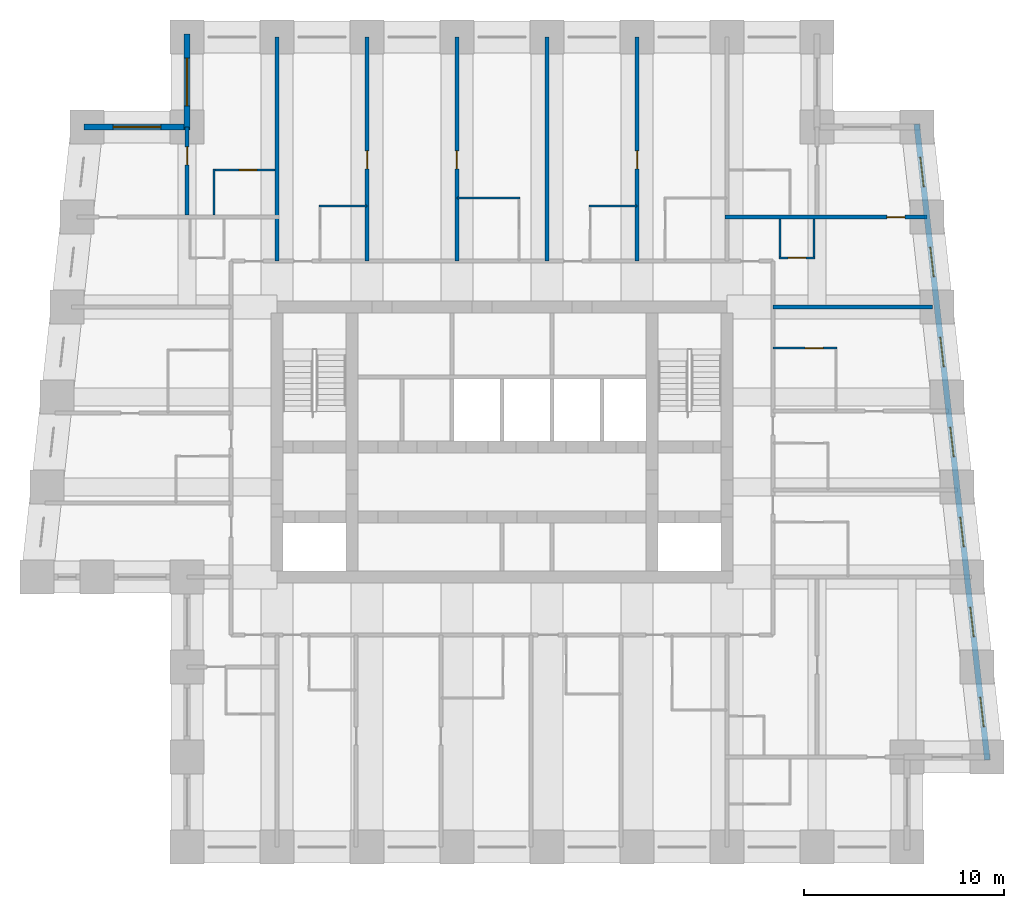
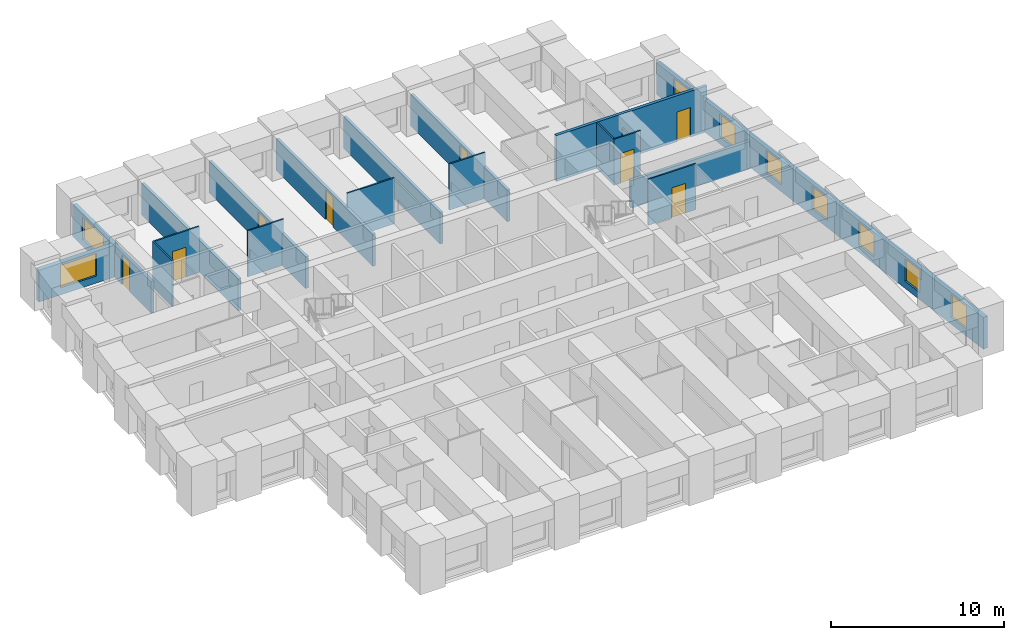
# One storey, part 6 of 8: 20 walls, 9 windows, 8 doors, 17 openings.
"""IFC4 building model written with IfcOpenShell, lengths in metres."""

from ifc_helpers import new_model, si_unit, direction, frame, frame_2d, origin, place, context, subcontext, project, spatial, rectangle, extrude, material, layer, layer_set, type_object, element, fill, save


model = new_model("IFC4")

# Units and contexts
model_context = context("Model", 3, precision=1e-05, world=origin(), true_north=direction((0.0, 1.0)))
body_context = subcontext(model_context, "Body", "Model", "MODEL_VIEW")
ifc_project = project(units=[si_unit("LENGTHUNIT", "METRE"), si_unit("AREAUNIT", "SQUARE_METRE"), si_unit("VOLUMEUNIT", "CUBIC_METRE"), si_unit("PLANEANGLEUNIT", "RADIAN"), si_unit("MASSUNIT", "GRAM", prefix="KILO")], contexts=[model_context])

# Site, building, storey
site_placement = place(None, origin())
site = spatial("IfcSite", under=ifc_project, at=site_placement, CompositionType="ELEMENT")
building_placement = place(site_placement, origin())
building = spatial("IfcBuilding", under=site, at=building_placement, Name="Kilele Tower Hotel", CompositionType="ELEMENT")
storey_placement = place(building_placement, frame((0.0, 0.0, 204.39990234375)))
storey = spatial("IfcBuildingStorey", under=building, at=storey_placement, Name="L53", CompositionType="ELEMENT", Elevation=204.39990234375)

# Wall, opening, door
ifc_material_1 = material(Name="Moisture-resistant board")
ifc_layer_1 = layer(ifc_material_1, 0.10009765625)
ifc_layer_set_1 = layer_set([ifc_layer_1], Name="Moisture-resistant board")
wall_type_1 = type_object("IfcWallType", Name="Bathroom partition 100", PredefinedType="PLUMBINGWALL", material=ifc_layer_set_1)
wall_1_placement = place(storey_placement, frame((38.300048828125, 24.949951171875, 0.0), z_axis=(0.0, 0.0, 1.0), x_axis=(1.0, 0.0, 0.0)))
wall_1 = element("IfcWall", 1, at=wall_1_placement, inside=storey, type_object=wall_type_1, Name="Bathroom partition 100 L53", PredefinedType="PLUMBINGWALL", context=body_context, shape_type="SweptSolid", body=[
    extrude(rectangle(XDim=3.199951171875, YDim=0.10009765625, at=frame_2d((1.60009765625, 0.0))), origin(), (0.0, 0.0, 1.0), 3.25),
])
opening_1_placement = place(wall_1_placement, frame((1.60009765625, 0.0, 0.0)))
opening_1 = element("IfcOpeningElement", 2, at=opening_1_placement, cuts=wall_1, Name="Opening D2A", PredefinedType="OPENING", context=body_context, shape_type="SweptSolid", body=[
    extrude(rectangle(XDim=0.89990234375, YDim=2.10009765625, at=frame_2d((0.449951171875, 1.050048828125))), frame((0.0, 0.06005859375, 0.0), z_axis=(0.0, -1.0, 0.0), x_axis=(1.0, 0.0, 0.0)), (0.0, 0.0, 1.0), 0.1201171875),
])
ifc_material_2 = material(Name="Timber door leaf in hardwood frame", Category="wood")
door_type_1 = type_object("IfcDoorType", Name="Bathroom door 900", OperationType="SINGLE_SWING_LEFT", PredefinedType="DOOR", material=ifc_material_2)
door_1_placement = place(opening_1_placement, origin())
door_1 = element("IfcDoor", 3, at=door_1_placement, inside=storey, type_object=door_type_1, Name="Bathroom door 5308B", OperationType="SINGLE_SWING_LEFT", OverallHeight=2.10009765625, OverallWidth=0.89990234375, PredefinedType="DOOR", context=body_context, shape_type="SweptSolid", body=[
    extrude(rectangle(XDim=0.89990234375, YDim=2.10009765625, at=frame_2d((0.449951171875, 1.050048828125))), frame((0.0, 0.02490234375, 0.0), z_axis=(0.0, -1.0, 0.0), x_axis=(1.0, 0.0, 0.0)), (0.0, 0.0, 1.0), 0.050048828125),
])
fill(opening_1, door_1)

# Walls
wall_2_placement = place(storey_placement, frame((15.60009765625, 32.050048828125, 0.0), z_axis=(0.0, 0.0, 1.0), x_axis=(1.0, 0.0, 0.0)))
element("IfcWall", 4, at=wall_2_placement, inside=storey, type_object=wall_type_1, Name="Bathroom partition 100 L53", PredefinedType="PLUMBINGWALL", context=body_context, shape_type="SweptSolid", body=[
    extrude(rectangle(XDim=2.39990234375, YDim=0.10009765625, at=frame_2d((1.199951171875, 0.0))), origin(), (0.0, 0.0, 1.0), 3.25),
])
wall_3_placement = place(storey_placement, frame((22.5, 32.449951171875, 0.0), z_axis=(0.0, 0.0, 1.0), x_axis=(1.0, 0.0, 0.0)))
element("IfcWall", 5, at=wall_3_placement, inside=storey, type_object=wall_type_1, Name="Bathroom partition 100 L53", PredefinedType="PLUMBINGWALL", context=body_context, shape_type="SweptSolid", body=[
    extrude(rectangle(XDim=3.14990234375, YDim=0.10009765625, at=frame_2d((1.574951171875, 0.0))), origin(), (0.0, 0.0, 1.0), 3.25),
])
wall_4_placement = place(storey_placement, frame((29.10009765625, 32.050048828125, 0.0), z_axis=(0.0, 0.0, 1.0), x_axis=(1.0, 0.0, 0.0)))
element("IfcWall", 6, at=wall_4_placement, inside=storey, type_object=wall_type_1, Name="Bathroom partition 100 L53", PredefinedType="PLUMBINGWALL", context=body_context, shape_type="SweptSolid", body=[
    extrude(rectangle(XDim=2.39990234375, YDim=0.10009765625, at=frame_2d((1.199951171875, 0.0))), origin(), (0.0, 0.0, 1.0), 3.25),
])
wall_5_placement = place(storey_placement, frame((40.35009765625, 31.39990234375, 0.0), z_axis=(0.0, 0.0, 1.0), x_axis=(0.0, -1.0, 0.0)))
element("IfcWall", 7, at=wall_5_placement, inside=storey, type_object=wall_type_1, Name="Bathroom partition 100 L53", PredefinedType="PLUMBINGWALL", context=body_context, shape_type="SweptSolid", body=[
    extrude(rectangle(XDim=2.0, YDim=0.10009765625, at=frame_2d((1.0, 0.0))), origin(), (0.0, 0.0, 1.0), 2.25),
])
wall_6_placement = place(storey_placement, frame((38.64990234375, 31.39990234375, 0.0), z_axis=(0.0, 0.0, 1.0), x_axis=(0.0, -1.0, 0.0)))
element("IfcWall", 8, at=wall_6_placement, inside=storey, type_object=wall_type_1, Name="Bathroom partition 100 L53", PredefinedType="PLUMBINGWALL", context=body_context, shape_type="SweptSolid", body=[
    extrude(rectangle(XDim=2.0, YDim=0.10009765625, at=frame_2d((1.0, 0.0))), origin(), (0.0, 0.0, 1.0), 3.25),
])

# Wall, opening, door
wall_7_placement = place(storey_placement, frame((38.60009765625, 29.449951171875, 0.0), z_axis=(0.0, 0.0, 1.0), x_axis=(1.0, 0.0, 0.0)))
wall_7 = element("IfcWall", 9, at=wall_7_placement, inside=storey, type_object=wall_type_1, Name="Bathroom partition 100 L53", PredefinedType="PLUMBINGWALL", context=body_context, shape_type="SweptSolid", body=[
    extrude(rectangle(XDim=1.7998046875, YDim=0.10009765625, at=frame_2d((0.89990234375, 0.0))), origin(), (0.0, 0.0, 1.0), 3.25),
])
opening_2_placement = place(wall_7_placement, frame((1.349853515625, 0.0, 0.0), z_axis=(0.0, 0.0, 1.0), x_axis=(-1.0, 0.0, 0.0)))
opening_2 = element("IfcOpeningElement", 10, at=opening_2_placement, cuts=wall_7, Name="Opening D2A", PredefinedType="OPENING", context=body_context, shape_type="SweptSolid", body=[
    extrude(rectangle(XDim=0.89990234375, YDim=2.10009765625, at=frame_2d((0.449951171875, 1.050048828125))), frame((0.0, 0.06005859375, 0.0), z_axis=(0.0, -1.0, 0.0), x_axis=(1.0, 0.0, 0.0)), (0.0, 0.0, 1.0), 0.1201171875),
])
door_2_placement = place(opening_2_placement, origin())
door_2 = element("IfcDoor", 11, at=door_2_placement, inside=storey, type_object=door_type_1, Name="Bathroom door 5322P", OperationType="SINGLE_SWING_RIGHT", OverallHeight=2.10009765625, OverallWidth=0.89990234375, PredefinedType="DOOR", context=body_context, shape_type="SweptSolid", body=[
    extrude(rectangle(XDim=0.89990234375, YDim=2.10009765625, at=frame_2d((0.449951171875, 1.050048828125))), frame((0.0, 0.02490234375, 0.0), z_axis=(0.0, -1.0, 0.0), x_axis=(1.0, 0.0, 0.0)), (0.0, 0.0, 1.0), 0.050048828125),
])
fill(opening_2, door_2)

# Wall
wall_8_placement = place(storey_placement, frame((10.35009765625, 31.60009765625, 0.0), z_axis=(0.0, 0.0, 1.0), x_axis=(0.0, 1.0, 0.0)))
element("IfcWall", 12, at=wall_8_placement, inside=storey, type_object=wall_type_1, Name="Bathroom partition 100 L53", PredefinedType="PLUMBINGWALL", context=body_context, shape_type="SweptSolid", body=[
    extrude(rectangle(XDim=2.2998046875, YDim=0.10009765625, at=frame_2d((1.14990234375, 0.0))), origin(), (0.0, 0.0, 1.0), 3.25),
])

# Wall, opening, door
wall_9_placement = place(storey_placement, frame((13.39990234375, 33.85009765625, 0.0), z_axis=(0.0, 0.0, 1.0), x_axis=(-1.0, 0.0, 0.0)))
wall_9 = element("IfcWall", 13, at=wall_9_placement, inside=storey, type_object=wall_type_1, Name="Bathroom partition 100 L53", PredefinedType="PLUMBINGWALL", context=body_context, shape_type="SweptSolid", body=[
    extrude(rectangle(XDim=3.099853515625, YDim=0.10009765625, at=frame_2d((1.5498046875, 0.0))), origin(), (0.0, 0.0, 1.0), 3.25),
])
opening_3_placement = place(wall_9_placement, frame((1.7998046875, 0.0, 0.0), z_axis=(0.0, 0.0, 1.0), x_axis=(-1.0, 0.0, 0.0)))
opening_3 = element("IfcOpeningElement", 14, at=opening_3_placement, cuts=wall_9, Name="Opening D2A", PredefinedType="OPENING", context=body_context, shape_type="SweptSolid", body=[
    extrude(rectangle(XDim=0.89990234375, YDim=2.10009765625, at=frame_2d((0.449951171875, 1.050048828125))), frame((0.0, 0.06005859375, 0.0), z_axis=(0.0, -1.0, 0.0), x_axis=(1.0, 0.0, 0.0)), (0.0, 0.0, 1.0), 0.1201171875),
])
door_3_placement = place(opening_3_placement, origin())
door_3 = element("IfcDoor", 15, at=door_3_placement, inside=storey, type_object=door_type_1, Name="Bathroom door 5326B", OperationType="SINGLE_SWING_RIGHT", OverallHeight=2.10009765625, OverallWidth=0.89990234375, PredefinedType="DOOR", context=body_context, shape_type="SweptSolid", body=[
    extrude(rectangle(XDim=0.89990234375, YDim=2.10009765625, at=frame_2d((0.449951171875, 1.050048828125))), frame((0.0, 0.02490234375, 0.0), z_axis=(0.0, -1.0, 0.0), x_axis=(1.0, 0.0, 0.0)), (0.0, 0.0, 1.0), 0.050048828125),
])
fill(opening_3, door_3)

ifc_material_3 = material(Name="Blockwork, plastered both sides", Category="masonry")
ifc_layer_2 = layer(ifc_material_3, 0.199951171875)
ifc_layer_set_2 = layer_set([ifc_layer_2], Name="Blockwork, plastered both sides")
wall_type_2 = type_object("IfcWallType", Name="Partition wall 200", PredefinedType="PARTITIONING", material=ifc_layer_set_2)
wall_10_placement = place(storey_placement, frame((9.0, 31.60009765625, 0.0), z_axis=(0.0, 0.0, 1.0), x_axis=(0.0, 1.0, 0.0)))
wall_10 = element("IfcWall", 16, at=wall_10_placement, inside=storey, type_object=wall_type_2, Name="Partition wall 200 L53", PredefinedType="PARTITIONING", context=body_context, shape_type="SweptSolid", body=[
    extrude(rectangle(XDim=4.39990234375, YDim=0.199951171875, at=frame_2d((2.199951171875, 0.0))), origin(), (0.0, 0.0, 1.0), 2.25),
])
opening_4_placement = place(wall_10_placement, frame((2.5, 0.0, 0.0)))
opening_4 = element("IfcOpeningElement", 17, at=opening_4_placement, cuts=wall_10, Name="Opening D3", PredefinedType="OPENING", context=body_context, shape_type="SweptSolid", body=[
    extrude(rectangle(XDim=0.89990234375, YDim=2.10009765625, at=frame_2d((0.449951171875, 1.050048828125))), frame((0.0, 0.10986328125, 0.0), z_axis=(0.0, -1.0, 0.0), x_axis=(1.0, 0.0, 0.0)), (0.0, 0.0, 1.0), 0.219970703125),
])
ifc_material_4 = material(Name="Timber door leaf in hardwood frame", Category="wood")
door_type_2 = type_object("IfcDoorType", Name="Suite internal door 900", OperationType="SINGLE_SWING_LEFT", PredefinedType="DOOR", material=ifc_material_4)
door_4_placement = place(opening_4_placement, origin())
door_4 = element("IfcDoor", 18, at=door_4_placement, inside=storey, type_object=door_type_2, Name="Suite door 5327", OperationType="SINGLE_SWING_RIGHT", OverallHeight=2.10009765625, OverallWidth=0.89990234375, PredefinedType="DOOR", context=body_context, shape_type="SweptSolid", body=[
    extrude(rectangle(XDim=0.89990234375, YDim=2.10009765625, at=frame_2d((0.449951171875, 1.050048828125))), frame((0.0, 0.02490234375, 0.0), z_axis=(0.0, -1.0, 0.0), x_axis=(1.0, 0.0, 0.0)), (0.0, 0.0, 1.0), 0.050048828125),
])
fill(opening_4, door_4)

ifc_material_5 = material(Name="Blockwork, plastered both sides", Category="masonry")
ifc_layer_3 = layer(ifc_material_5, 0.199951171875)
ifc_layer_set_3 = layer_set([ifc_layer_3], Name="Blockwork, plastered both sides")
wall_type_3 = type_object("IfcWallType", Name="Party wall 200", PredefinedType="PARTITIONING", material=ifc_layer_set_3)
wall_11_placement = place(storey_placement, frame((18.0, 29.300048828125, 0.0), z_axis=(0.0, 0.0, 1.0), x_axis=(0.0, 1.0, 0.0)))
wall_11 = element("IfcWall", 19, at=wall_11_placement, inside=storey, type_object=wall_type_3, Name="Party wall 200 L53", PredefinedType="PARTITIONING", context=body_context, shape_type="SweptSolid", body=[
    extrude(rectangle(XDim=11.199951171875, YDim=0.199951171875, at=frame_2d((5.60009765625, 0.0))), origin(), (0.0, 0.0, 1.0), 2.25),
])
opening_5_placement = place(wall_11_placement, frame((4.60009765625, 0.0, 0.0)))
opening_5 = element("IfcOpeningElement", 20, at=opening_5_placement, cuts=wall_11, Name="Opening D3", PredefinedType="OPENING", context=body_context, shape_type="SweptSolid", body=[
    extrude(rectangle(XDim=0.89990234375, YDim=2.10009765625, at=frame_2d((0.449951171875, 1.050048828125))), frame((0.0, 0.10986328125, 0.0), z_axis=(0.0, -1.0, 0.0), x_axis=(1.0, 0.0, 0.0)), (0.0, 0.0, 1.0), 0.219970703125),
])
door_5_placement = place(opening_5_placement, origin())
door_5 = element("IfcDoor", 21, at=door_5_placement, inside=storey, type_object=door_type_2, Name="Suite door 5310", OperationType="SINGLE_SWING_LEFT", OverallHeight=2.10009765625, OverallWidth=0.89990234375, PredefinedType="DOOR", context=body_context, shape_type="SweptSolid", body=[
    extrude(rectangle(XDim=0.89990234375, YDim=2.10009765625, at=frame_2d((0.449951171875, 1.050048828125))), frame((0.0, 0.02490234375, 0.0), z_axis=(0.0, -1.0, 0.0), x_axis=(1.0, 0.0, 0.0)), (0.0, 0.0, 1.0), 0.050048828125),
])
fill(opening_5, door_5)

wall_12_placement = place(storey_placement, frame((22.5, 29.300048828125, 0.0), z_axis=(0.0, 0.0, 1.0), x_axis=(0.0, 1.0, 0.0)))
wall_12 = element("IfcWall", 22, at=wall_12_placement, inside=storey, type_object=wall_type_3, Name="Party wall 200 L53", PredefinedType="PARTITIONING", context=body_context, shape_type="SweptSolid", body=[
    extrude(rectangle(XDim=11.199951171875, YDim=0.199951171875, at=frame_2d((5.60009765625, 0.0))), origin(), (0.0, 0.0, 1.0), 2.25),
])
opening_6_placement = place(wall_12_placement, frame((5.5, 0.0, 0.0), z_axis=(0.0, 0.0, 1.0), x_axis=(-1.0, 0.0, 0.0)))
opening_6 = element("IfcOpeningElement", 23, at=opening_6_placement, cuts=wall_12, Name="Opening D3", PredefinedType="OPENING", context=body_context, shape_type="SweptSolid", body=[
    extrude(rectangle(XDim=0.89990234375, YDim=2.10009765625, at=frame_2d((0.449951171875, 1.050048828125))), frame((0.0, 0.10986328125, 0.0), z_axis=(0.0, -1.0, 0.0), x_axis=(1.0, 0.0, 0.0)), (0.0, 0.0, 1.0), 0.219970703125),
])
door_6_placement = place(opening_6_placement, origin())
door_6 = element("IfcDoor", 24, at=door_6_placement, inside=storey, type_object=door_type_2, Name="Suite door 5311", OperationType="SINGLE_SWING_RIGHT", OverallHeight=2.10009765625, OverallWidth=0.89990234375, PredefinedType="DOOR", context=body_context, shape_type="SweptSolid", body=[
    extrude(rectangle(XDim=0.89990234375, YDim=2.10009765625, at=frame_2d((0.449951171875, 1.050048828125))), frame((0.0, 0.02490234375, 0.0), z_axis=(0.0, -1.0, 0.0), x_axis=(1.0, 0.0, 0.0)), (0.0, 0.0, 1.0), 0.050048828125),
])
fill(opening_6, door_6)

# Wall
wall_13_placement = place(storey_placement, frame((27.0, 29.300048828125, 0.0), z_axis=(0.0, 0.0, 1.0), x_axis=(0.0, 1.0, 0.0)))
element("IfcWall", 25, at=wall_13_placement, inside=storey, type_object=wall_type_3, Name="Party wall 200 L53", PredefinedType="PARTITIONING", context=body_context, shape_type="SweptSolid", body=[
    extrude(rectangle(XDim=11.199951171875, YDim=0.199951171875, at=frame_2d((5.60009765625, 0.0))), origin(), (0.0, 0.0, 1.0), 2.25),
])

# Wall, opening, door
wall_14_placement = place(storey_placement, frame((31.5, 29.300048828125, 0.0), z_axis=(0.0, 0.0, 1.0), x_axis=(0.0, 1.0, 0.0)))
wall_14 = element("IfcWall", 26, at=wall_14_placement, inside=storey, type_object=wall_type_3, Name="Party wall 200 L53", PredefinedType="PARTITIONING", context=body_context, shape_type="SweptSolid", body=[
    extrude(rectangle(XDim=11.199951171875, YDim=0.199951171875, at=frame_2d((5.60009765625, 0.0))), origin(), (0.0, 0.0, 1.0), 2.25),
])
opening_7_placement = place(wall_14_placement, frame((4.60009765625, 0.0, 0.0)))
opening_7 = element("IfcOpeningElement", 27, at=opening_7_placement, cuts=wall_14, Name="Opening D3", PredefinedType="OPENING", context=body_context, shape_type="SweptSolid", body=[
    extrude(rectangle(XDim=0.89990234375, YDim=2.10009765625, at=frame_2d((0.449951171875, 1.050048828125))), frame((0.0, 0.10986328125, 0.0), z_axis=(0.0, -1.0, 0.0), x_axis=(1.0, 0.0, 0.0)), (0.0, 0.0, 1.0), 0.219970703125),
])
door_7_placement = place(opening_7_placement, origin())
door_7 = element("IfcDoor", 28, at=door_7_placement, inside=storey, type_object=door_type_2, Name="Suite door 5313", OperationType="SINGLE_SWING_LEFT", OverallHeight=2.10009765625, OverallWidth=0.89990234375, PredefinedType="DOOR", context=body_context, shape_type="SweptSolid", body=[
    extrude(rectangle(XDim=0.89990234375, YDim=2.10009765625, at=frame_2d((0.449951171875, 1.050048828125))), frame((0.0, 0.02490234375, 0.0), z_axis=(0.0, -1.0, 0.0), x_axis=(1.0, 0.0, 0.0)), (0.0, 0.0, 1.0), 0.050048828125),
])
fill(opening_7, door_7)

# Wall
wall_15_placement = place(storey_placement, frame((38.300048828125, 27.0, 0.0), z_axis=(0.0, 0.0, 1.0), x_axis=(1.0, 0.0, 0.0)))
element("IfcWall", 29, at=wall_15_placement, inside=storey, type_object=wall_type_3, Name="Party wall 200 L53", PredefinedType="PARTITIONING", context=body_context, shape_type="SweptSolid", body=[
    extrude(rectangle(XDim=7.976806640625, YDim=0.199951171875, at=frame_2d((3.98828125, 0.0))), origin(), (0.0, 0.0, 1.0), 1.9501953125),
])

# Wall, opening, door
wall_16_placement = place(storey_placement, frame((35.89990234375, 31.5, 0.0), z_axis=(0.0, 0.0, 1.0), x_axis=(1.0, 0.0, 0.0)))
wall_16 = element("IfcWall", 30, at=wall_16_placement, inside=storey, type_object=wall_type_3, Name="Party wall 200 L53", PredefinedType="PARTITIONING", context=body_context, shape_type="SweptSolid", body=[
    extrude(rectangle(XDim=10.09912109375, YDim=0.199951171875, at=frame_2d((5.049560546875, 0.0))), origin(), (0.0, 0.0, 1.0), 3.25),
])
opening_8_placement = place(wall_16_placement, frame((8.09912109375, 0.0, 0.0)))
opening_8 = element("IfcOpeningElement", 31, at=opening_8_placement, cuts=wall_16, Name="Opening D3", PredefinedType="OPENING", context=body_context, shape_type="SweptSolid", body=[
    extrude(rectangle(XDim=0.89990234375, YDim=2.10009765625, at=frame_2d((0.449951171875, 1.050048828125))), frame((0.0, 0.10986328125, 0.0), z_axis=(0.0, -1.0, 0.0), x_axis=(1.0, 0.0, 0.0)), (0.0, 0.0, 1.0), 0.219970703125),
])
door_8_placement = place(opening_8_placement, origin())
door_8 = element("IfcDoor", 32, at=door_8_placement, inside=storey, type_object=door_type_2, Name="Suite door 5323", OperationType="SINGLE_SWING_RIGHT", OverallHeight=2.10009765625, OverallWidth=0.89990234375, PredefinedType="DOOR", context=body_context, shape_type="SweptSolid", body=[
    extrude(rectangle(XDim=0.89990234375, YDim=2.10009765625, at=frame_2d((0.449951171875, 1.050048828125))), frame((0.0, 0.02490234375, 0.0), z_axis=(0.0, -1.0, 0.0), x_axis=(1.0, 0.0, 0.0)), (0.0, 0.0, 1.0), 0.050048828125),
])
fill(opening_8, door_8)

# Wall
wall_17_placement = place(storey_placement, frame((13.5, 29.300048828125, 0.0), z_axis=(0.0, 0.0, 1.0), x_axis=(0.0, 1.0, 0.0)))
element("IfcWall", 33, at=wall_17_placement, inside=storey, type_object=wall_type_3, Name="Party wall 200 L53", PredefinedType="PARTITIONING", context=body_context, shape_type="SweptSolid", body=[
    extrude(rectangle(XDim=11.199951171875, YDim=0.199951171875, at=frame_2d((5.60009765625, 0.0))), origin(), (0.0, 0.0, 1.0), 2.25),
])

# Wall, openings, windows
ifc_material_6 = material(Name="Concrete C40/50 precast", Category="concrete")
ifc_layer_4 = layer(ifc_material_6, 0.260009765625, Name="Precast backing", Category="LoadBearing")
ifc_material_7 = material(Name="Reconstituted stone finish", Category="masonry")
ifc_layer_5 = layer(ifc_material_7, 0.0400390625, Name="Face mix", Category="Finish")
ifc_layer_set_4 = layer_set([ifc_layer_4, ifc_layer_5], Name="Precast concrete C40/50, reconstituted stone finish")
wall_type_4 = type_object("IfcWallType", Name="Precast stone facade wall 300", PredefinedType="STANDARD", material=ifc_layer_set_4)
wall_18_placement = place(storey_placement, frame((49.0166015625, 4.350830078125, 0.0), z_axis=(0.0, 0.0, 1.0), x_axis=(-0.110433201132, 0.993883548555, 0.0)))
wall_18 = element("IfcWall", 34, at=wall_18_placement, inside=storey, type_object=wall_type_4, Name="Facade wall L53 edge 6", PredefinedType="STANDARD", context=body_context, shape_type="SweptSolid", body=[
    extrude(rectangle(XDim=31.994140625, YDim=0.300048828125, at=frame_2d((15.9970703125, 0.0))), origin(), (0.0, 0.0, 1.0), 2.25),
])
opening_9_placement = place(wall_18_placement, frame((1.6640625, 0.0, 0.5)))
opening_9 = element("IfcOpeningElement", 35, at=opening_9_placement, cuts=wall_18, Name="Opening W3", PredefinedType="OPENING", context=body_context, shape_type="SweptSolid", body=[
    extrude(rectangle(XDim=1.5, YDim=1.60009765625, at=frame_2d((0.75, 0.800048828125))), frame((0.0, 0.159912109375, 0.0), z_axis=(0.0, -1.0, 0.0), x_axis=(1.0, 0.0, 0.0)), (0.0, 0.0, 1.0), 0.320068359375),
])
opening_10_placement = place(wall_18_placement, frame((6.19189453125, 0.0, 0.5)))
opening_10 = element("IfcOpeningElement", 36, at=opening_10_placement, cuts=wall_18, Name="Opening W3", PredefinedType="OPENING", context=body_context, shape_type="SweptSolid", body=[
    extrude(rectangle(XDim=1.5, YDim=1.60009765625, at=frame_2d((0.75, 0.800048828125))), frame((0.0, 0.159912109375, 0.0), z_axis=(0.0, -1.0, 0.0), x_axis=(1.0, 0.0, 0.0)), (0.0, 0.0, 1.0), 0.320068359375),
])
opening_11_placement = place(wall_18_placement, frame((10.718994140625, 0.0, 0.5)))
opening_11 = element("IfcOpeningElement", 37, at=opening_11_placement, cuts=wall_18, Name="Opening W3", PredefinedType="OPENING", context=body_context, shape_type="SweptSolid", body=[
    extrude(rectangle(XDim=1.5, YDim=1.60009765625, at=frame_2d((0.75, 0.800048828125))), frame((0.0, 0.159912109375, 0.0), z_axis=(0.0, -1.0, 0.0), x_axis=(1.0, 0.0, 0.0)), (0.0, 0.0, 1.0), 0.320068359375),
])
opening_12_placement = place(wall_18_placement, frame((15.2470703125, 0.0, 0.5)))
opening_12 = element("IfcOpeningElement", 38, at=opening_12_placement, cuts=wall_18, Name="Opening W3", PredefinedType="OPENING", context=body_context, shape_type="SweptSolid", body=[
    extrude(rectangle(XDim=1.5, YDim=1.60009765625, at=frame_2d((0.75, 0.800048828125))), frame((0.0, 0.159912109375, 0.0), z_axis=(0.0, -1.0, 0.0), x_axis=(1.0, 0.0, 0.0)), (0.0, 0.0, 1.0), 0.320068359375),
])
opening_13_placement = place(wall_18_placement, frame((19.77490234375, 0.0, 0.5)))
opening_13 = element("IfcOpeningElement", 39, at=opening_13_placement, cuts=wall_18, Name="Opening W3", PredefinedType="OPENING", context=body_context, shape_type="SweptSolid", body=[
    extrude(rectangle(XDim=1.5, YDim=1.60009765625, at=frame_2d((0.75, 0.800048828125))), frame((0.0, 0.159912109375, 0.0), z_axis=(0.0, -1.0, 0.0), x_axis=(1.0, 0.0, 0.0)), (0.0, 0.0, 1.0), 0.320068359375),
])
opening_14_placement = place(wall_18_placement, frame((24.302001953125, 0.0, 0.5)))
opening_14 = element("IfcOpeningElement", 40, at=opening_14_placement, cuts=wall_18, Name="Opening W3", PredefinedType="OPENING", context=body_context, shape_type="SweptSolid", body=[
    extrude(rectangle(XDim=1.5, YDim=1.60009765625, at=frame_2d((0.75, 0.800048828125))), frame((0.0, 0.159912109375, 0.0), z_axis=(0.0, -1.0, 0.0), x_axis=(1.0, 0.0, 0.0)), (0.0, 0.0, 1.0), 0.320068359375),
])
opening_15_placement = place(wall_18_placement, frame((28.830078125, 0.0, 0.5)))
opening_15 = element("IfcOpeningElement", 41, at=opening_15_placement, cuts=wall_18, Name="Opening W3", PredefinedType="OPENING", context=body_context, shape_type="SweptSolid", body=[
    extrude(rectangle(XDim=1.5, YDim=1.60009765625, at=frame_2d((0.75, 0.800048828125))), frame((0.0, 0.159912109375, 0.0), z_axis=(0.0, -1.0, 0.0), x_axis=(1.0, 0.0, 0.0)), (0.0, 0.0, 1.0), 0.320068359375),
])
ifc_material_8 = material(Name="Aluminium frame, clear double glazing", Category="aluminium")
window_type_1 = type_object("IfcWindowType", Name="Window W3 1500 x 1600", PartitioningType="SINGLE_PANEL", PredefinedType="WINDOW", material=ifc_material_8)
window_1_placement = place(opening_9_placement, origin())
window_1 = element("IfcWindow", 42, at=window_1_placement, inside=storey, type_object=window_type_1, Name="Window L53", OverallHeight=1.60009765625, OverallWidth=1.5, PartitioningType="SINGLE_PANEL", PredefinedType="WINDOW", context=body_context, shape_type="SweptSolid", body=[
    extrude(rectangle(XDim=1.5, YDim=1.60009765625, at=frame_2d((0.75, 0.800048828125))), frame((0.0, 0.030029296875, 0.0), z_axis=(0.0, -1.0, 0.0), x_axis=(1.0, 0.0, 0.0)), (0.0, 0.0, 1.0), 0.06005859375),
])
fill(opening_9, window_1)
window_2_placement = place(opening_10_placement, origin())
window_2 = element("IfcWindow", 43, at=window_2_placement, inside=storey, type_object=window_type_1, Name="Window L53", OverallHeight=1.60009765625, OverallWidth=1.5, PartitioningType="SINGLE_PANEL", PredefinedType="WINDOW", context=body_context, shape_type="SweptSolid", body=[
    extrude(rectangle(XDim=1.5, YDim=1.60009765625, at=frame_2d((0.75, 0.800048828125))), frame((0.0, 0.030029296875, 0.0), z_axis=(0.0, -1.0, 0.0), x_axis=(1.0, 0.0, 0.0)), (0.0, 0.0, 1.0), 0.06005859375),
])
fill(opening_10, window_2)
window_3_placement = place(opening_11_placement, origin())
window_3 = element("IfcWindow", 44, at=window_3_placement, inside=storey, type_object=window_type_1, Name="Window L53", OverallHeight=1.60009765625, OverallWidth=1.5, PartitioningType="SINGLE_PANEL", PredefinedType="WINDOW", context=body_context, shape_type="SweptSolid", body=[
    extrude(rectangle(XDim=1.5, YDim=1.60009765625, at=frame_2d((0.75, 0.800048828125))), frame((0.0, 0.030029296875, 0.0), z_axis=(0.0, -1.0, 0.0), x_axis=(1.0, 0.0, 0.0)), (0.0, 0.0, 1.0), 0.06005859375),
])
fill(opening_11, window_3)
window_4_placement = place(opening_12_placement, origin())
window_4 = element("IfcWindow", 45, at=window_4_placement, inside=storey, type_object=window_type_1, Name="Window L53", OverallHeight=1.60009765625, OverallWidth=1.5, PartitioningType="SINGLE_PANEL", PredefinedType="WINDOW", context=body_context, shape_type="SweptSolid", body=[
    extrude(rectangle(XDim=1.5, YDim=1.60009765625, at=frame_2d((0.75, 0.800048828125))), frame((0.0, 0.030029296875, 0.0), z_axis=(0.0, -1.0, 0.0), x_axis=(1.0, 0.0, 0.0)), (0.0, 0.0, 1.0), 0.06005859375),
])
fill(opening_12, window_4)
window_5_placement = place(opening_13_placement, origin())
window_5 = element("IfcWindow", 46, at=window_5_placement, inside=storey, type_object=window_type_1, Name="Window L53", OverallHeight=1.60009765625, OverallWidth=1.5, PartitioningType="SINGLE_PANEL", PredefinedType="WINDOW", context=body_context, shape_type="SweptSolid", body=[
    extrude(rectangle(XDim=1.5, YDim=1.60009765625, at=frame_2d((0.75, 0.800048828125))), frame((0.0, 0.030029296875, 0.0), z_axis=(0.0, -1.0, 0.0), x_axis=(1.0, 0.0, 0.0)), (0.0, 0.0, 1.0), 0.06005859375),
])
fill(opening_13, window_5)
window_6_placement = place(opening_14_placement, origin())
window_6 = element("IfcWindow", 47, at=window_6_placement, inside=storey, type_object=window_type_1, Name="Window L53", OverallHeight=1.60009765625, OverallWidth=1.5, PartitioningType="SINGLE_PANEL", PredefinedType="WINDOW", context=body_context, shape_type="SweptSolid", body=[
    extrude(rectangle(XDim=1.5, YDim=1.60009765625, at=frame_2d((0.75, 0.800048828125))), frame((0.0, 0.030029296875, 0.0), z_axis=(0.0, -1.0, 0.0), x_axis=(1.0, 0.0, 0.0)), (0.0, 0.0, 1.0), 0.06005859375),
])
fill(opening_14, window_6)
window_7_placement = place(opening_15_placement, origin())
window_7 = element("IfcWindow", 48, at=window_7_placement, inside=storey, type_object=window_type_1, Name="Window L53", OverallHeight=1.60009765625, OverallWidth=1.5, PartitioningType="SINGLE_PANEL", PredefinedType="WINDOW", context=body_context, shape_type="SweptSolid", body=[
    extrude(rectangle(XDim=1.5, YDim=1.60009765625, at=frame_2d((0.75, 0.800048828125))), frame((0.0, 0.030029296875, 0.0), z_axis=(0.0, -1.0, 0.0), x_axis=(1.0, 0.0, 0.0)), (0.0, 0.0, 1.0), 0.06005859375),
])
fill(opening_15, window_7)

# Wall, opening, window
wall_19_placement = place(storey_placement, frame((9.0, 40.64990234375, 0.0), z_axis=(0.0, 0.0, 1.0), x_axis=(0.0, -1.0, 0.0)))
wall_19 = element("IfcWall", 49, at=wall_19_placement, inside=storey, type_object=wall_type_4, Name="Facade wall L53 edge 10", PredefinedType="STANDARD", context=body_context, shape_type="SweptSolid", body=[
    extrude(rectangle(XDim=4.7998046875, YDim=0.300048828125, at=frame_2d((2.39990234375, 0.0))), origin(), (0.0, 0.0, 1.0), 2.25),
])
opening_16_placement = place(wall_19_placement, frame((1.199951171875, 0.0, 0.5)))
opening_16 = element("IfcOpeningElement", 50, at=opening_16_placement, cuts=wall_19, Name="Opening W3", PredefinedType="OPENING", context=body_context, shape_type="SweptSolid", body=[
    extrude(rectangle(XDim=2.39990234375, YDim=1.60009765625, at=frame_2d((1.199951171875, 0.800048828125))), frame((0.0, 0.159912109375, 0.0), z_axis=(0.0, -1.0, 0.0), x_axis=(1.0, 0.0, 0.0)), (0.0, 0.0, 1.0), 0.320068359375),
])
ifc_material_9 = material(Name="Aluminium frame, clear double glazing", Category="aluminium")
window_type_2 = type_object("IfcWindowType", Name="Window W3 2400 x 1600", PartitioningType="SINGLE_PANEL", PredefinedType="WINDOW", material=ifc_material_9)
window_8_placement = place(opening_16_placement, origin())
window_8 = element("IfcWindow", 51, at=window_8_placement, inside=storey, type_object=window_type_2, Name="Window L53", OverallHeight=1.60009765625, OverallWidth=2.39990234375, PartitioningType="SINGLE_PANEL", PredefinedType="WINDOW", context=body_context, shape_type="SweptSolid", body=[
    extrude(rectangle(XDim=2.39990234375, YDim=1.60009765625, at=frame_2d((1.199951171875, 0.800048828125))), frame((0.0, 0.030029296875, 0.0), z_axis=(0.0, -1.0, 0.0), x_axis=(1.0, 0.0, 0.0)), (0.0, 0.0, 1.0), 0.06005859375),
])
fill(opening_16, window_8)

wall_20_placement = place(storey_placement, frame((9.14990234375, 36.0, 0.0), z_axis=(0.0, 0.0, 1.0), x_axis=(-1.0, 0.0, 0.0)))
wall_20 = element("IfcWall", 52, at=wall_20_placement, inside=storey, type_object=wall_type_4, Name="Facade wall L53 edge 11", PredefinedType="STANDARD", context=body_context, shape_type="SweptSolid", body=[
    extrude(rectangle(XDim=5.2998046875, YDim=0.300048828125, at=frame_2d((2.64990234375, 0.0))), origin(), (0.0, 0.0, 1.0), 2.25),
])
opening_17_placement = place(wall_20_placement, frame((1.449951171875, 0.0, 0.5)))
opening_17 = element("IfcOpeningElement", 53, at=opening_17_placement, cuts=wall_20, Name="Opening W3", PredefinedType="OPENING", context=body_context, shape_type="SweptSolid", body=[
    extrude(rectangle(XDim=2.39990234375, YDim=1.60009765625, at=frame_2d((1.199951171875, 0.800048828125))), frame((0.0, 0.159912109375, 0.0), z_axis=(0.0, -1.0, 0.0), x_axis=(1.0, 0.0, 0.0)), (0.0, 0.0, 1.0), 0.320068359375),
])
window_9_placement = place(opening_17_placement, origin())
window_9 = element("IfcWindow", 54, at=window_9_placement, inside=storey, type_object=window_type_2, Name="Window L53", OverallHeight=1.60009765625, OverallWidth=2.39990234375, PartitioningType="SINGLE_PANEL", PredefinedType="WINDOW", context=body_context, shape_type="SweptSolid", body=[
    extrude(rectangle(XDim=2.39990234375, YDim=1.60009765625, at=frame_2d((1.199951171875, 0.800048828125))), frame((0.0, 0.030029296875, 0.0), z_axis=(0.0, -1.0, 0.0), x_axis=(1.0, 0.0, 0.0)), (0.0, 0.0, 1.0), 0.06005859375),
])
fill(opening_17, window_9)

save(model, "model.ifc")
